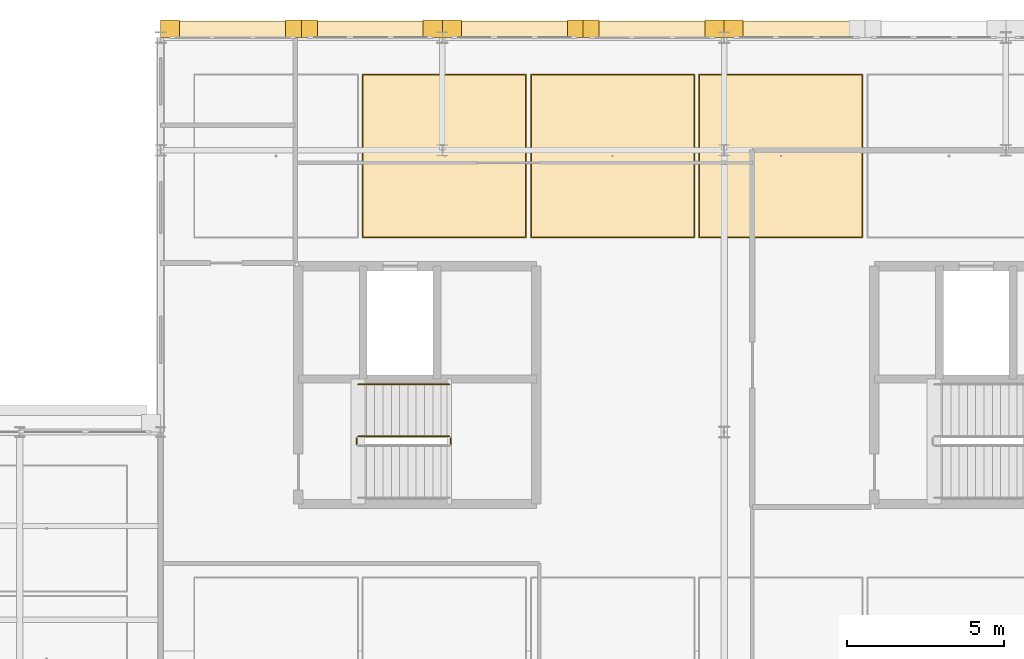
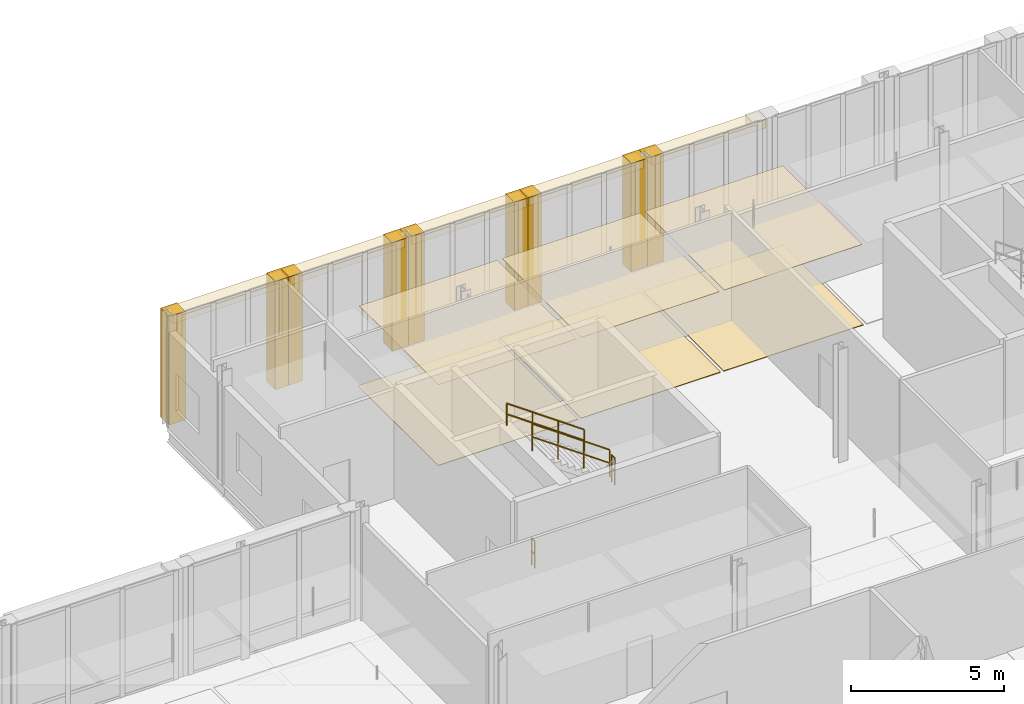
# One storey, part 138 of 140: 20 coverings, 4 railings.
"""IFC4 building model written with IfcOpenShell, lengths in metres."""

from ifc_helpers import new_model, si_unit, direction, frame, origin, origin_2d, place, context, subcontext, project, spatial, rectangle, circle, extrude, material, layer, layer_set, type_object, element, save


model = new_model("IFC4")

# Units and contexts
model_context = context("Model", 3, precision=1e-05, world=origin(), true_north=direction((0.0, 1.0)))
body_context = subcontext(model_context, "Body", "Model", "MODEL_VIEW")
ifc_project = project(units=[si_unit("LENGTHUNIT", "METRE"), si_unit("AREAUNIT", "SQUARE_METRE"), si_unit("VOLUMEUNIT", "CUBIC_METRE"), si_unit("PLANEANGLEUNIT", "RADIAN"), si_unit("MASSUNIT", "GRAM", prefix="KILO"), si_unit("THERMODYNAMICTEMPERATUREUNIT", "KELVIN"), si_unit("POWERUNIT", "WATT")], contexts=[model_context])

# Site, building, storey
site_placement = place(None, origin())
site = spatial("IfcSite", under=ifc_project, at=site_placement, CompositionType="ELEMENT")
building_placement = place(site_placement, origin())
building = spatial("IfcBuilding", under=site, at=building_placement, Name="Tallowbark Science Centre", CompositionType="ELEMENT")
storey_placement = place(building_placement, frame((0.0, 0.0, 9.89990234375)))
storey = spatial("IfcBuildingStorey", under=building, at=storey_placement, Name="L02", CompositionType="ELEMENT", Elevation=9.89990234375)

# Coverings
ifc_material_1 = material(Name="Mineral-Fibre Acoustic Ceiling Tile Grid")
ifc_layer_1 = layer(ifc_material_1, 0.01806640625)
ifc_layer_set_1 = layer_set([ifc_layer_1], Name="Mineral-Fibre Acoustic Ceiling Tile Grid")
covering_type_1 = type_object("IfcCoveringType", Name="CLG-ACT-18", PredefinedType="CEILING", material=ifc_layer_set_1)
for number, where, z_axis, x_axis, name in (
    (1, (121.5625, 107.8212890625, 3.191162109375), (0.0, 0.0, 1.0), (1.0, 0.0, 0.0), "Suspended Ceiling L02-914"),
    (2, (126.9375, 107.8212890625, 3.191162109375), (0.0, 0.0, 1.0), (1.0, 0.0, 0.0), "Suspended Ceiling L02-916"),
    (3, (132.3125, 107.8212890625, 3.191162109375), (0.0, 0.0, 1.0), (1.0, 0.0, 0.0), "Suspended Ceiling L02-921"),
):
    element("IfcCovering", number, at=place(storey_placement, frame(where, z_axis=z_axis, x_axis=x_axis)), inside=storey, type_object=covering_type_1, Name=name, PredefinedType="CEILING", context=body_context, shape_type="SweptSolid", body=[
        extrude(rectangle(XDim=5.195068359375, YDim=5.177001953125, at=origin_2d()), origin(), (0.0, 0.0, 1.0), 0.01806640625),
    ])
ifc_material_2 = material(Name="White Architectural Precast Concrete Grade N40 (40 MPa)", Category="concrete")
ifc_layer_2 = layer(ifc_material_2, 0.1201171875)
ifc_layer_set_2 = layer_set([ifc_layer_2], Name="White Architectural Precast Concrete Grade N40 (40 MPa)")
covering_type_2 = type_object("IfcCoveringType", Name="COV-PRC-CLAD", PredefinedType="CLADDING", material=ifc_layer_set_2)
covering_placement = place(storey_placement, frame((121.195068359375, 111.8798828125, 0.0), z_axis=(0.0, 0.0, 1.0), x_axis=(-1.0, 0.0, 0.0)))
element("IfcCovering", 4, at=covering_placement, inside=storey, type_object=covering_type_2, Name="Postmodern Deep Precast Pier CW-L02-140-1", PredefinedType="CLADDING", context=body_context, shape_type="SweptSolid", body=[
    extrude(rectangle(XDim=0.610107421875, YDim=0.56005859375, at=origin_2d()), origin(), (0.0, 0.0, 1.0), 4.320068359375),
])
for number, where, z_axis, x_axis, name in (
    (5, (117.2548828125, 111.8798828125, 0.0), (0.0, 0.0, 1.0), (-1.0, 0.0, 0.0), "Postmodern Deep Precast Pier CW-L02-140-2"),
    (6, (116.7451171875, 111.8798828125, 0.0), (0.0, 0.0, 1.0), (-1.0, 0.0, 0.0), "Postmodern Deep Precast Pier CW-L02-141-1"),
):
    element("IfcCovering", number, at=place(storey_placement, frame(where, z_axis=z_axis, x_axis=x_axis)), inside=storey, type_object=covering_type_2, Name=name, PredefinedType="CLADDING", context=body_context, shape_type="SweptSolid", body=[
        extrude(rectangle(XDim=0.510009765625, YDim=0.56005859375, at=origin_2d()), origin(), (0.0, 0.0, 1.0), 4.320068359375),
    ])
for number, where, z_axis, x_axis, name in (
    (7, (112.804931640625, 111.8798828125, 0.0), (0.0, 0.0, 1.0), (-1.0, 0.0, 0.0), "Postmodern Deep Precast Pier CW-L02-141-2"),
    (8, (130.195068359375, 111.8798828125, 0.0), (0.0, 0.0, 1.0), (-1.0, 0.0, 0.0), "Postmodern Deep Precast Pier CW-L02-144-1"),
):
    element("IfcCovering", number, at=place(storey_placement, frame(where, z_axis=z_axis, x_axis=x_axis)), inside=storey, type_object=covering_type_2, Name=name, PredefinedType="CLADDING", context=body_context, shape_type="SweptSolid", body=[
        extrude(rectangle(XDim=0.610107421875, YDim=0.56005859375, at=origin_2d()), origin(), (0.0, 0.0, 1.0), 4.320068359375),
    ])
for number, where, z_axis, x_axis, name in (
    (9, (126.2548828125, 111.8798828125, 0.0), (0.0, 0.0, 1.0), (-1.0, 0.0, 0.0), "Postmodern Deep Precast Pier CW-L02-144-2"),
    (10, (125.7451171875, 111.8798828125, 0.0), (0.0, 0.0, 1.0), (-1.0, 0.0, 0.0), "Postmodern Deep Precast Pier CW-L02-145-1"),
):
    element("IfcCovering", number, at=place(storey_placement, frame(where, z_axis=z_axis, x_axis=x_axis)), inside=storey, type_object=covering_type_2, Name=name, PredefinedType="CLADDING", context=body_context, shape_type="SweptSolid", body=[
        extrude(rectangle(XDim=0.510009765625, YDim=0.56005859375, at=origin_2d()), origin(), (0.0, 0.0, 1.0), 4.320068359375),
    ])
for number, where, z_axis, x_axis, name in (
    (11, (121.804931640625, 111.8798828125, 0.0), (0.0, 0.0, 1.0), (-1.0, 0.0, 0.0), "Postmodern Deep Precast Pier CW-L02-145-2"),
    (12, (130.804931640625, 111.8798828125, 0.0), (0.0, 0.0, 1.0), (-1.0, 0.0, 0.0), "Postmodern Deep Precast Pier CW-L02-149-2"),
):
    element("IfcCovering", number, at=place(storey_placement, frame(where, z_axis=z_axis, x_axis=x_axis)), inside=storey, type_object=covering_type_2, Name=name, PredefinedType="CLADDING", context=body_context, shape_type="SweptSolid", body=[
        extrude(rectangle(XDim=0.610107421875, YDim=0.56005859375, at=origin_2d()), origin(), (0.0, 0.0, 1.0), 4.320068359375),
    ])
ifc_material_3 = material(Name="Vitrified Ochre Terracotta Architectural Rainscreen", Category="masonry")
ifc_layer_3 = layer(ifc_material_3, 0.0380859375)
ifc_layer_set_3 = layer_set([ifc_layer_3], Name="Vitrified Ochre Terracotta Architectural Rainscreen")
covering_type_3 = type_object("IfcCoveringType", Name="COV-TER-CLAD", PredefinedType="CLADDING", material=ifc_layer_set_3)
for number, where, z_axis, x_axis, name in (
    (13, (119.199951171875, 111.860107421875, 3.97021484375), (0.0, 0.0, 1.0), (-1.0, 0.0, 0.0), "Postmodern Terracotta Cornice Band CW-L02-140"),
    (14, (114.800048828125, 111.860107421875, 3.97021484375), (0.0, 0.0, 1.0), (-1.0, 0.0, 0.0), "Postmodern Terracotta Cornice Band CW-L02-141"),
    (15, (128.199951171875, 111.860107421875, 3.97021484375), (0.0, 0.0, 1.0), (-1.0, 0.0, 0.0), "Postmodern Terracotta Cornice Band CW-L02-144"),
    (16, (123.800048828125, 111.860107421875, 3.97021484375), (0.0, 0.0, 1.0), (-1.0, 0.0, 0.0), "Postmodern Terracotta Cornice Band CW-L02-145"),
    (17, (132.800048828125, 111.860107421875, 3.97021484375), (0.0, 0.0, 1.0), (-1.0, 0.0, 0.0), "Postmodern Terracotta Cornice Band CW-L02-149"),
):
    element("IfcCovering", number, at=place(storey_placement, frame(where, z_axis=z_axis, x_axis=x_axis)), inside=storey, type_object=covering_type_3, Name=name, PredefinedType="CLADDING", context=body_context, shape_type="SweptSolid", body=[
        extrude(rectangle(XDim=4.300048828125, YDim=0.52001953125, at=origin_2d()), origin(), (0.0, 0.0, 1.0), 0.340087890625),
    ])
ifc_material_4 = material(Name="Engineered Blackbutt Gallery Timber Flooring", Category="wood")
ifc_layer_4 = layer(ifc_material_4, 0.02197265625)
ifc_layer_set_4 = layer_set([ifc_layer_4], Name="Engineered Blackbutt Gallery Timber Flooring")
covering_type_4 = type_object("IfcCoveringType", Name="FLR-TIM-22", PredefinedType="FLOORING", material=ifc_layer_set_4)
for number, where, z_axis, x_axis, name in (
    (18, (121.5625, 107.8212890625, 0.0), (0.0, 0.0, 1.0), (1.0, 0.0, 0.0), "Floor Finish L02-914"),
    (19, (126.9375, 107.8212890625, 0.0), (0.0, 0.0, 1.0), (1.0, 0.0, 0.0), "Floor Finish L02-916"),
    (20, (132.3125, 107.8212890625, 0.0), (0.0, 0.0, 1.0), (1.0, 0.0, 0.0), "Floor Finish L02-921"),
):
    element("IfcCovering", number, at=place(storey_placement, frame(where, z_axis=z_axis, x_axis=x_axis)), inside=storey, type_object=covering_type_4, Name=name, PredefinedType="FLOORING", context=body_context, shape_type="SweptSolid", body=[
        extrude(rectangle(XDim=5.2548828125, YDim=5.237060546875, at=origin_2d()), origin(), (0.0, 0.0, 1.0), 0.02197265625),
    ])

# Railings
ifc_material_5 = material(Name="Galvanised Painted Steel and Laminated Glass Balustrade", Category="steel")
ifc_layer_5 = layer(ifc_material_5, 0.070068359375)
ifc_layer_set_5 = layer_set([ifc_layer_5], Name="Galvanised Painted Steel and Laminated Glass Balustrade")
railing_type_1 = type_object("IfcRailingType", Name="RLG-BAL-1150", PredefinedType="BALUSTRADE", material=ifc_layer_set_5)
railing_1_placement = place(storey_placement, frame((121.77490234375, 98.610107421875, 2.25)))
element("IfcRailing", 21, at=railing_1_placement, inside=storey, type_object=railing_type_1, Name="L02 ST-05 stair guard 2", PredefinedType="BALUSTRADE", context=body_context, shape_type="SweptSolid", body=[
    extrude(circle(Radius=0.02392578125, at=origin_2d()), frame((0.0, 0.0, 1.076171875), z_axis=(0.0, 1.0, 0.0), x_axis=(-1.0, 0.0, 0.0)), (0.0, 0.0, 1.0), 0.199951171875),
    extrude(circle(Radius=0.02392578125, at=origin_2d()), frame((0.0, 0.0, 0.550048828125), z_axis=(0.0, 1.0, 0.0), x_axis=(-1.0, 0.0, 0.0)), (0.0, 0.0, 1.0), 0.199951171875),
    extrude(circle(Radius=0.02099609375, at=origin_2d()), origin(), (0.0, 0.0, 1.0), 1.052001953125),
    extrude(circle(Radius=0.02099609375, at=origin_2d()), frame((0.0, 0.199951171875, 0.0)), (0.0, 0.0, 1.0), 1.052001953125),
])
railing_2_placement = place(storey_placement, frame((121.72509765625, 98.860107421875, 2.4375)))
element("IfcRailing", 22, at=railing_2_placement, inside=storey, type_object=railing_type_1, Name="L02 ST-05 stair guard 3", PredefinedType="BALUSTRADE", context=body_context, shape_type="SweptSolid", body=[
    extrude(circle(Radius=0.02392578125, at=origin_2d()), frame((0.0, 0.0, 1.076171875), z_axis=(-0.816330724661, 0.0, 0.577584753931), x_axis=(0.0, -1.0, 0.0)), (0.0, 0.0, 1.0), 3.57080078125),
    extrude(circle(Radius=0.02392578125, at=origin_2d()), frame((0.0, 0.0, 0.550048828125), z_axis=(-0.816330724661, 0.0, 0.577584753931), x_axis=(0.0, -1.0, 0.0)), (0.0, 0.0, 1.0), 3.57080078125),
    extrude(circle(Radius=0.02099609375, at=origin_2d()), origin(), (0.0, 0.0, 1.0), 1.052001953125),
    extrude(circle(Radius=0.02099609375, at=origin_2d()), frame((-0.9716796875, 0.0, 0.6875)), (0.0, 0.0, 1.0), 1.052001953125),
    extrude(circle(Radius=0.02099609375, at=origin_2d()), frame((-1.943359375, 0.0, 1.375)), (0.0, 0.0, 1.0), 1.052001953125),
    extrude(circle(Radius=0.02099609375, at=origin_2d()), frame((-2.9150390625, 0.0, 2.0625)), (0.0, 0.0, 1.0), 1.052001953125),
])
railing_3_placement = place(storey_placement, frame((118.760009765625, 98.610107421875, 0.0)))
element("IfcRailing", 23, at=railing_3_placement, inside=storey, type_object=railing_type_1, Name="L02 ST-05 stair guard 4", PredefinedType="BALUSTRADE", context=body_context, shape_type="SweptSolid", body=[
    extrude(circle(Radius=0.02392578125, at=origin_2d()), frame((0.0, 0.0, 1.076171875), z_axis=(0.0, 1.0, 0.0), x_axis=(-1.0, 0.0, 0.0)), (0.0, 0.0, 1.0), 0.199951171875),
    extrude(circle(Radius=0.02392578125, at=origin_2d()), frame((0.0, 0.0, 0.550048828125), z_axis=(0.0, 1.0, 0.0), x_axis=(-1.0, 0.0, 0.0)), (0.0, 0.0, 1.0), 0.199951171875),
    extrude(circle(Radius=0.02099609375, at=origin_2d()), origin(), (0.0, 0.0, 1.0), 1.052001953125),
    extrude(circle(Radius=0.02099609375, at=origin_2d()), frame((0.0, 0.199951171875, 0.0)), (0.0, 0.0, 1.0), 1.052001953125),
])
ifc_material_6 = material(Name="Brushed Grade 316 Stainless Steel Handrail", Category="steel")
ifc_layer_6 = layer(ifc_material_6, 0.050048828125)
ifc_layer_set_6 = layer_set([ifc_layer_6], Name="Brushed Grade 316 Stainless Steel Handrail")
railing_type_2 = type_object("IfcRailingType", Name="RLG-HDR-950", PredefinedType="HANDRAIL", material=ifc_layer_set_6)
railing_4_placement = place(storey_placement, frame((121.72509765625, 100.52001953125, 2.4375)))
element("IfcRailing", 24, at=railing_4_placement, inside=storey, type_object=railing_type_2, Name="L02 ST-05 stair handrail 2", PredefinedType="HANDRAIL", context=body_context, shape_type="SweptSolid", body=[
    extrude(circle(Radius=0.02392578125, at=origin_2d()), frame((0.0, 0.0, 0.8759765625), z_axis=(-0.816330724661, 0.0, 0.577584753931), x_axis=(0.0, -1.0, 0.0)), (0.0, 0.0, 1.0), 3.57080078125),
    extrude(circle(Radius=0.02392578125, at=origin_2d()), frame((0.0, 0.0, 0.449951171875), z_axis=(-0.816330724661, 0.0, 0.577584753931), x_axis=(0.0, -1.0, 0.0)), (0.0, 0.0, 1.0), 3.57080078125),
    extrude(circle(Radius=0.02099609375, at=origin_2d()), origin(), (0.0, 0.0, 1.0), 0.851806640625),
    extrude(circle(Radius=0.02099609375, at=origin_2d()), frame((-0.9716796875, 0.0, 0.6875)), (0.0, 0.0, 1.0), 0.851806640625),
    extrude(circle(Radius=0.02099609375, at=origin_2d()), frame((-1.943359375, 0.0, 1.375)), (0.0, 0.0, 1.0), 0.851806640625),
    extrude(circle(Radius=0.02099609375, at=origin_2d()), frame((-2.9150390625, 0.0, 2.0625)), (0.0, 0.0, 1.0), 0.851806640625),
])

save(model, "model.ifc")
